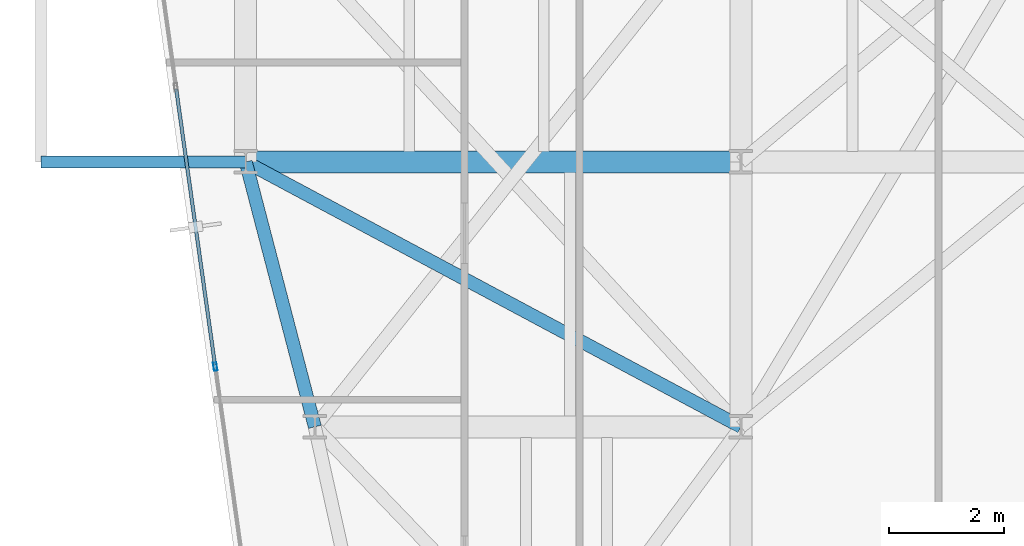
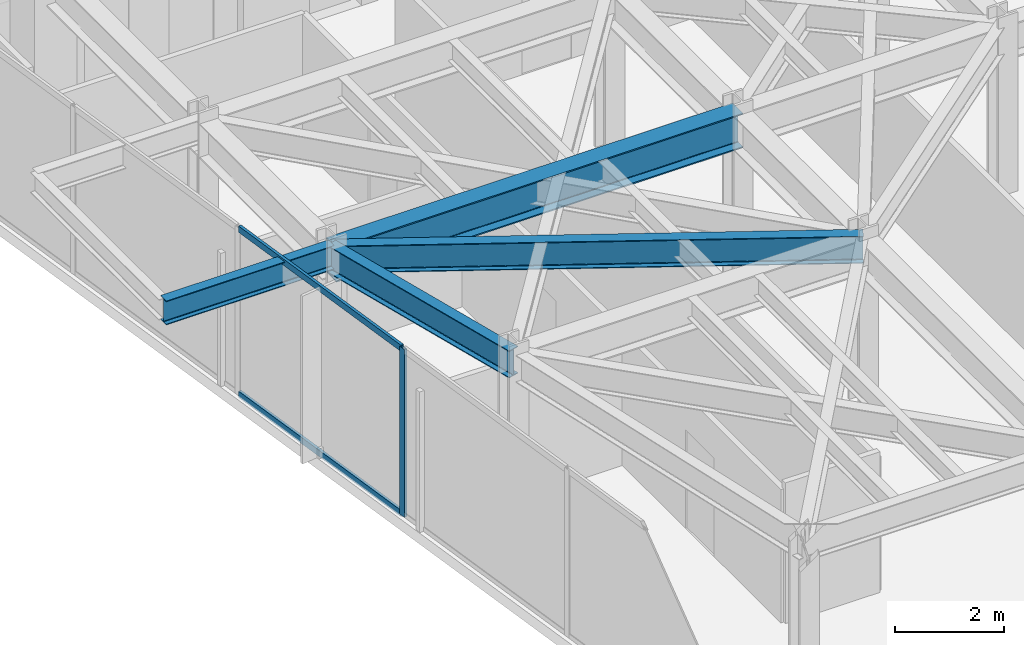
# One storey, part 4 of 27: 4 beams, 3 members, 1 element without a shape of its own.
"""IFC4 building model written with IfcOpenShell, lengths in metres."""

from ifc_helpers import new_model, si_unit, direction, frame, origin, origin_2d, place, context, subcontext, project, spatial, hollow_rectangle, i_section, extrude, material, layer, layer_set, material_profile, profile_set, type_object, element, aggregate, save


model = new_model("IFC4")

# Units and contexts
model_context = context("Model", 3, precision=1e-05, world=origin(), true_north=direction((0.0, 1.0)))
body_context = subcontext(model_context, "Body", "Model", "MODEL_VIEW")
ifc_project = project(units=[si_unit("LENGTHUNIT", "METRE"), si_unit("AREAUNIT", "SQUARE_METRE"), si_unit("VOLUMEUNIT", "CUBIC_METRE"), si_unit("PLANEANGLEUNIT", "RADIAN"), si_unit("MASSUNIT", "GRAM", prefix="KILO")], contexts=[model_context])

# Site, building, storey
site_placement = place(None, origin())
site = spatial("IfcSite", under=ifc_project, at=site_placement, CompositionType="ELEMENT")
building_placement = place(site_placement, origin())
building = spatial("IfcBuilding", under=site, at=building_placement, Name="Kravanh Interchange Tower", CompositionType="ELEMENT")
storey_placement = place(building_placement, frame((0.0, 0.0, 188.5)))
storey = spatial("IfcBuildingStorey", under=building, at=storey_placement, Name="L45", CompositionType="ELEMENT", Elevation=188.5)

# Curtain wall, members
ifc_material_1 = material(Name="Anodised Bronze Aluminium", Category="aluminium")
ifc_layer = layer(ifc_material_1, 0.179931640625)
ifc_layer_set = layer_set([ifc_layer], Name="Unitised Curtain Wall System CW-Z3 Upper Office")
curtain_wall_type = type_object("IfcCurtainWallType", Name="Unitised Curtain Wall System CW-Z3 Upper Office", PredefinedType="NOTDEFINED", material=ifc_layer_set)
curtain_wall_placement = place(storey_placement, origin())
curtain_wall = element("IfcCurtainWall", 1, at=curtain_wall_placement, inside=storey, type_object=curtain_wall_type, Name="L45 Unitised Curtain Wall CW-L45-01", PredefinedType="NOTDEFINED")
ifc_material_2 = material(Name="Anodised Bronze Aluminium", Category="aluminium")
ifc_material_profile_1 = material_profile(ifc_material_2, hollow_rectangle(XDim=0.06005859375, YDim=0.139892578125, WallThickness=0.00390625, at=origin_2d()), Name="ALU60X140X4")
ifc_profile_set_1 = profile_set([ifc_material_profile_1], Name="Anodised Bronze Aluminium")
member_type_1 = type_object("IfcMemberType", Name="Curtain Wall Mullion ALU60X140X4 Bronze", PredefinedType="MULLION", material=ifc_profile_set_1)
member_1_placement = place(storey_placement, frame((18.070556640625, 23.244384765625, 0.0), z_axis=(0.0, 0.0, 1.0), x_axis=(-0.990268194035, -0.139172209446, 0.0)))
member_1 = element("IfcMember", 2, at=member_1_placement, type_object=member_type_1, Name="CW-Z3 mullion 3", PredefinedType="MULLION", context=body_context, shape_type="SweptSolid", body=[
    extrude(hollow_rectangle(XDim=0.06005859375, YDim=0.139892578125, WallThickness=0.00390625, at=origin_2d()), origin(), (0.0, 0.0, 1.0), 3.7548828125),
])
ifc_material_3 = material(Name="Anodised Bronze Aluminium", Category="aluminium")
ifc_material_profile_2 = material_profile(ifc_material_3, hollow_rectangle(XDim=0.06005859375, YDim=0.139892578125, WallThickness=0.00390625, at=origin_2d()), Name="ALU60X140X4")
ifc_profile_set_2 = profile_set([ifc_material_profile_2], Name="Anodised Bronze Aluminium")
member_type_2 = type_object("IfcMemberType", Name="Curtain Wall Transom ALU60X140X4 Bronze", PredefinedType="USERDEFINED", material=ifc_profile_set_2)
member_2_placement = place(storey_placement, frame((18.06640625, 23.274169921875, 0.030029296875), z_axis=(-0.139182174391, 0.990266793512, 0.0), x_axis=(-0.990266793512, -0.139182174391, 0.0)))
member_2 = element("IfcMember", 3, at=member_2_placement, type_object=member_type_2, Name="CW-Z3 transom 3.1", ObjectType="TRANSOM", PredefinedType="USERDEFINED", context=body_context, shape_type="SweptSolid", body=[
    extrude(hollow_rectangle(XDim=0.06005859375, YDim=0.139892578125, WallThickness=0.00390625, at=origin_2d()), origin(), (0.0, 0.0, 1.0), 4.839599609375),
])
member_3_placement = place(storey_placement, frame((18.06640625, 23.274169921875, 3.72509765625), z_axis=(-0.139182174391, 0.990266793512, 0.0), x_axis=(-0.990266793512, -0.139182174391, 0.0)))
member_3 = element("IfcMember", 4, at=member_3_placement, type_object=member_type_2, Name="CW-Z3 transom 3.2", ObjectType="TRANSOM", PredefinedType="USERDEFINED", context=body_context, shape_type="SweptSolid", body=[
    extrude(hollow_rectangle(XDim=0.06005859375, YDim=0.139892578125, WallThickness=0.00390625, at=origin_2d()), origin(), (0.0, 0.0, 1.0), 4.839599609375),
])
aggregate(curtain_wall, [member_1, member_2, member_3])

# Beams
ifc_material_4 = material(Name="Structural Steel S355", Category="steel")
ifc_material_profile_3 = material_profile(ifc_material_4, i_section(OverallWidth=0.381103515625, OverallDepth=0.77294921875, WebThickness=0.0166015625, FlangeThickness=0.027099609375, FilletRadius=0.02490234375, at=origin_2d()), Name="W30X173")
ifc_profile_set_3 = profile_set([ifc_material_profile_3], Name="Structural Steel S355")
beam_type_1 = type_object("IfcBeamType", Name="Floor Beam W30X173 Structural Steel S355", PredefinedType="BEAM", material=ifc_profile_set_3)
beam_1_placement = place(storey_placement, frame((18.60009765625, 26.800048828125, 3.368408203125), z_axis=(1.0, 0.0, 0.0), x_axis=(0.0, 1.0, 0.0)))
element("IfcBeam", 5, at=beam_1_placement, inside=storey, type_object=beam_type_1, Name="L45 Primary Floor Girder 35", PredefinedType="BEAM", context=body_context, shape_type="SweptSolid", body=[
    extrude(i_section(OverallWidth=0.381103515625, OverallDepth=0.77294921875, WebThickness=0.0166015625, FlangeThickness=0.027099609375, FilletRadius=0.02490234375, at=origin_2d()), origin(), (0.0, 0.0, 1.0), 8.599853515625),
])
ifc_material_5 = material(Name="Structural Steel S355", Category="steel")
ifc_material_profile_4 = material_profile(ifc_material_5, i_section(OverallWidth=0.2099609375, OverallDepth=0.537109375, WebThickness=0.010986328125, FlangeThickness=0.017333984375, FilletRadius=0.02001953125, at=origin_2d()), Name="W21X68")
ifc_profile_set_4 = profile_set([ifc_material_profile_4], Name="Structural Steel S355")
beam_type_2 = type_object("IfcBeamType", Name="Floor Spandrel W21X68 Structural Steel S355", PredefinedType="SPANDREL", material=ifc_profile_set_4)
beam_2_placement = place(storey_placement, frame((18.60009765625, 26.800048828125, 3.486572265625), z_axis=(-1.0, 0.0, 0.0), x_axis=(0.0, -1.0, 0.0)))
element("IfcBeam", 6, at=beam_2_placement, inside=storey, type_object=beam_type_2, Name="L45 Balcony Cantilever Outrigger W1", PredefinedType="SPANDREL", context=body_context, shape_type="SweptSolid", body=[
    extrude(i_section(OverallWidth=0.2099609375, OverallDepth=0.537109375, WebThickness=0.010986328125, FlangeThickness=0.017333984375, FilletRadius=0.02001953125, at=origin_2d()), origin(), (0.0, 0.0, 1.0), 3.552978515625),
])
ifc_material_6 = material(Name="Structural Steel S355", Category="steel")
ifc_material_profile_5 = material_profile(ifc_material_6, i_section(OverallWidth=0.22802734375, OverallDepth=0.60791015625, WebThickness=0.01123046875, FlangeThickness=0.017333984375, FilletRadius=0.02197265625, at=origin_2d()), Name="W24X76")
ifc_profile_set_5 = profile_set([ifc_material_profile_5], Name="Structural Steel S355")
beam_type_3 = type_object("IfcBeamType", Name="Floor Spandrel W24X76 Structural Steel S355", PredefinedType="SPANDREL", material=ifc_profile_set_5)
beam_3_placement = place(storey_placement, frame((18.60009765625, 26.800048828125, 3.450927734375), z_axis=(0.252407263364, -0.967621089787, 0.0), x_axis=(0.967621089787, 0.252407263364, 0.0)))
element("IfcBeam", 7, at=beam_3_placement, inside=storey, type_object=beam_type_3, Name="L45 Perimeter Spandrel 34", PredefinedType="SPANDREL", context=body_context, shape_type="SweptSolid", body=[
    extrude(i_section(OverallWidth=0.22802734375, OverallDepth=0.60791015625, WebThickness=0.01123046875, FlangeThickness=0.017333984375, FilletRadius=0.02197265625, at=origin_2d()), origin(), (0.0, 0.0, 1.0), 4.75390625),
])
beam_4_placement = place(storey_placement, frame((18.60009765625, 26.800048828125, 3.450927734375), z_axis=(0.881777136221, -0.471666282489, 0.0), x_axis=(0.471666282489, 0.881777136221, 0.0)))
element("IfcBeam", 8, at=beam_4_placement, inside=storey, type_object=beam_type_3, Name="L45 Perimeter Spandrel 36", PredefinedType="SPANDREL", context=body_context, shape_type="SweptSolid", body=[
    extrude(i_section(OverallWidth=0.22802734375, OverallDepth=0.60791015625, WebThickness=0.01123046875, FlangeThickness=0.017333984375, FilletRadius=0.02197265625, at=origin_2d()), origin(), (0.0, 0.0, 1.0), 9.7529296875),
])

save(model, "model.ifc")
